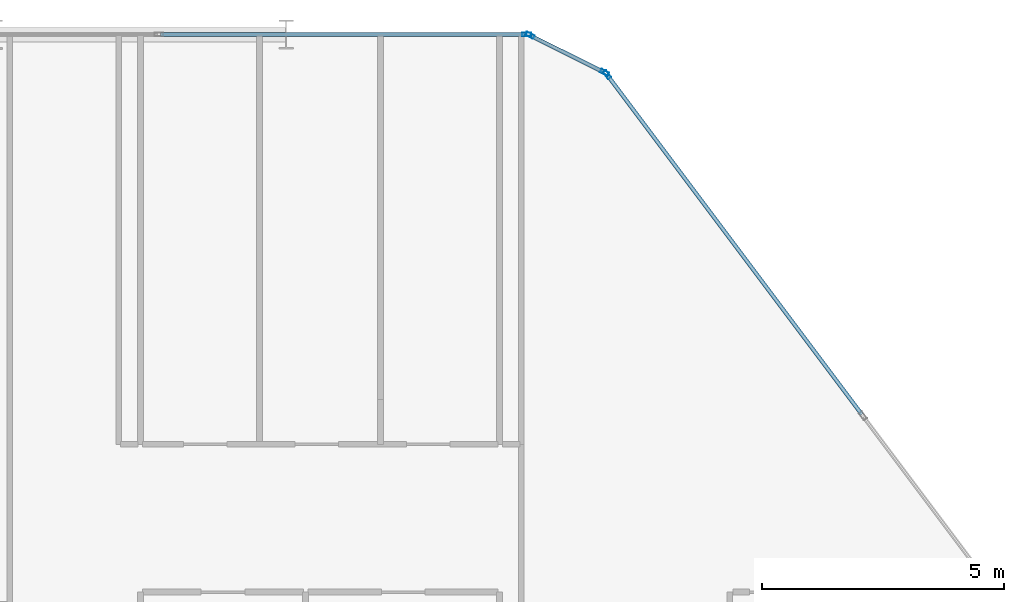
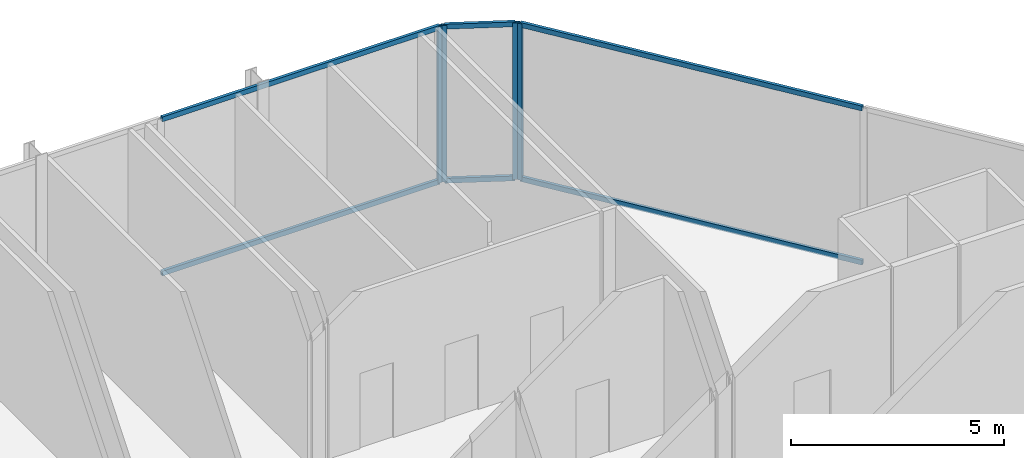
# One storey, part 20 of 29: 10 members, 3 elements without a shape of their own.
"""IFC4 building model written with IfcOpenShell, lengths in metres."""

from ifc_helpers import new_model, si_unit, direction, frame, origin, origin_2d, place, context, subcontext, project, spatial, hollow_rectangle, extrude, material, layer, layer_set, material_profile, profile_set, type_object, element, aggregate, save


model = new_model("IFC4")

# Units and contexts
model_context = context("Model", 3, precision=1e-05, world=origin(), true_north=direction((0.0, 1.0)))
body_context = subcontext(model_context, "Body", "Model", "MODEL_VIEW")
ifc_project = project(units=[si_unit("LENGTHUNIT", "METRE"), si_unit("AREAUNIT", "SQUARE_METRE"), si_unit("VOLUMEUNIT", "CUBIC_METRE"), si_unit("PLANEANGLEUNIT", "RADIAN"), si_unit("MASSUNIT", "GRAM", prefix="KILO")], contexts=[model_context])

# Site, building, storey
site_placement = place(None, origin())
site = spatial("IfcSite", under=ifc_project, at=site_placement, CompositionType="ELEMENT")
building_placement = place(site_placement, origin())
building = spatial("IfcBuilding", under=site, at=building_placement, Name="Keshet Zoharim Tower", CompositionType="ELEMENT")
storey_placement = place(building_placement, frame((0.0, 0.0, 120.5)))
storey = spatial("IfcBuildingStorey", under=building, at=storey_placement, Name="L29", CompositionType="ELEMENT", Elevation=120.5)

# Curtain wall, member
ifc_material = material(Name="Aluminium 6063-T6", Category="aluminium")
ifc_layer = layer(ifc_material, 0.14990234375)
ifc_layer_set = layer_set([ifc_layer], Name="Aluminium 6063-T6")
curtain_wall_type = type_object("IfcCurtainWallType", Name="CW-SYS-04", PredefinedType="NOTDEFINED", material=ifc_layer_set)
curtain_wall_1_placement = place(storey_placement, origin())
curtain_wall_1 = element("IfcCurtainWall", 1, at=curtain_wall_1_placement, inside=storey, type_object=curtain_wall_type, Name="L29 Unitised Curtain Wall 13 Part 5", PredefinedType="NOTDEFINED")
ifc_material_profile_1 = material_profile(ifc_material, hollow_rectangle(XDim=0.080078125, YDim=0.179931640625, WallThickness=0.00439453125, at=origin_2d()), Name="MUL-80x180")
ifc_profile_set_1 = profile_set([ifc_material_profile_1], Name="Aluminium 6063-T6")
member_type_1 = type_object("IfcMemberType", Name="CWM-M18", PredefinedType="MULLION", material=ifc_profile_set_1)
member_1_placement = place(storey_placement, frame((49.965087890625, 53.89990234375, 0.0), z_axis=(0.0, 0.0, 1.0), x_axis=(0.0, 1.0, 0.0)))
member_1 = element("IfcMember", 2, at=member_1_placement, type_object=member_type_1, Name="CW-04 mullion 3", PredefinedType="MULLION", context=body_context, shape_type="SweptSolid", body=[
    extrude(hollow_rectangle(XDim=0.080078125, YDim=0.179931640625, WallThickness=0.00439453125, at=origin_2d()), origin(), (0.0, 0.0, 1.0), 4.47998046875),
])

# Curtain wall, members
curtain_wall_2_placement = place(storey_placement, origin())
curtain_wall_2 = element("IfcCurtainWall", 3, at=curtain_wall_2_placement, inside=storey, type_object=curtain_wall_type, Name="L29 Unitised Curtain Wall 14", PredefinedType="NOTDEFINED")
member_2_placement = place(storey_placement, frame((50.03125, 53.88427734375, 0.0), z_axis=(0.0, 0.0, 1.0), x_axis=(0.447213595499, 0.894427191001, 0.0)))
member_2 = element("IfcMember", 4, at=member_2_placement, type_object=member_type_1, Name="CW-04 mullion 1", PredefinedType="MULLION", context=body_context, shape_type="SweptSolid", body=[
    extrude(hollow_rectangle(XDim=0.080078125, YDim=0.179931640625, WallThickness=0.00439453125, at=origin_2d()), origin(), (0.0, 0.0, 1.0), 4.47998046875),
])
member_3_placement = place(storey_placement, frame((51.568603515625, 53.11572265625, 0.0), z_axis=(0.0, 0.0, 1.0), x_axis=(0.447213595499, 0.894427191001, 0.0)))
member_3 = element("IfcMember", 5, at=member_3_placement, type_object=member_type_1, Name="CW-04 mullion 2", PredefinedType="MULLION", context=body_context, shape_type="SweptSolid", body=[
    extrude(hollow_rectangle(XDim=0.080078125, YDim=0.179931640625, WallThickness=0.00439453125, at=origin_2d()), origin(), (0.0, 0.0, 1.0), 4.47998046875),
])

# Curtain wall, member
curtain_wall_3_placement = place(storey_placement, origin())
curtain_wall_3 = element("IfcCurtainWall", 6, at=curtain_wall_3_placement, inside=storey, type_object=curtain_wall_type, Name="L29 Unitised Curtain Wall 15", PredefinedType="NOTDEFINED")
member_4_placement = place(storey_placement, frame((51.62109375, 53.072021484375, 0.0), z_axis=(0.0, 0.0, 1.0), x_axis=(0.799999999998, 0.600000000002, 0.0)))
member_4 = element("IfcMember", 7, at=member_4_placement, type_object=member_type_1, Name="CW-04 mullion 1", PredefinedType="MULLION", context=body_context, shape_type="SweptSolid", body=[
    extrude(hollow_rectangle(XDim=0.080078125, YDim=0.179931640625, WallThickness=0.00439453125, at=origin_2d()), origin(), (0.0, 0.0, 1.0), 4.47998046875),
])

# Member
ifc_material_profile_2 = material_profile(ifc_material, hollow_rectangle(XDim=0.080078125, YDim=0.139892578125, WallThickness=0.00390625, at=origin_2d()), Name="TRN-80x140")
ifc_profile_set_2 = profile_set([ifc_material_profile_2], Name="Aluminium 6063-T6")
member_type_2 = type_object("IfcMemberType", Name="CWT-T14", PredefinedType="USERDEFINED", material=ifc_profile_set_2)
member_5_placement = place(storey_placement, frame((42.411865234375, 53.89990234375, 0.034912109375), z_axis=(1.0, 0.0, 0.0), x_axis=(0.0, 1.0, 0.0)))
member_5 = element("IfcMember", 8, at=member_5_placement, type_object=member_type_2, Name="CW-04 transom 2.1", ObjectType="TRANSOM", PredefinedType="USERDEFINED", context=body_context, shape_type="SweptSolid", body=[
    extrude(hollow_rectangle(XDim=0.080078125, YDim=0.139892578125, WallThickness=0.00390625, at=origin_2d()), origin(), (0.0, 0.0, 1.0), 7.51806640625),
])

member_6_placement = place(storey_placement, frame((42.411865234375, 53.89990234375, 4.445068359375), z_axis=(1.0, 0.0, 0.0), x_axis=(0.0, 1.0, 0.0)))
member_6 = element("IfcMember", 9, at=member_6_placement, type_object=member_type_2, Name="CW-04 transom 2.2", ObjectType="TRANSOM", PredefinedType="USERDEFINED", context=body_context, shape_type="SweptSolid", body=[
    extrude(hollow_rectangle(XDim=0.080078125, YDim=0.139892578125, WallThickness=0.00390625, at=origin_2d()), origin(), (0.0, 0.0, 1.0), 7.51806640625),
])

aggregate(curtain_wall_1, [member_1, member_5, member_6])

member_7_placement = place(storey_placement, frame((50.0625, 53.86865234375, 0.034912109375), z_axis=(0.894456801911, -0.447154368775, 0.0), x_axis=(0.447154368775, 0.894456801911, 0.0)))
member_7 = element("IfcMember", 10, at=member_7_placement, type_object=member_type_2, Name="CW-04 transom 1.1", ObjectType="TRANSOM", PredefinedType="USERDEFINED", context=body_context, shape_type="SweptSolid", body=[
    extrude(hollow_rectangle(XDim=0.080078125, YDim=0.139892578125, WallThickness=0.00390625, at=origin_2d()), origin(), (0.0, 0.0, 1.0), 1.64892578125),
])

member_8_placement = place(storey_placement, frame((50.0625, 53.86865234375, 4.445068359375), z_axis=(0.894456801911, -0.447154368775, 0.0), x_axis=(0.447154368775, 0.894456801911, 0.0)))
member_8 = element("IfcMember", 11, at=member_8_placement, type_object=member_type_2, Name="CW-04 transom 1.2", ObjectType="TRANSOM", PredefinedType="USERDEFINED", context=body_context, shape_type="SweptSolid", body=[
    extrude(hollow_rectangle(XDim=0.080078125, YDim=0.139892578125, WallThickness=0.00390625, at=origin_2d()), origin(), (0.0, 0.0, 1.0), 1.64892578125),
])

aggregate(curtain_wall_2, [member_2, member_3, member_7, member_8])

member_9_placement = place(storey_placement, frame((51.64208984375, 53.0439453125, 0.034912109375), z_axis=(0.599991043201, -0.800006717521, 0.0), x_axis=(0.800006717521, 0.599991043201, 0.0)))
member_9 = element("IfcMember", 12, at=member_9_placement, type_object=member_type_2, Name="CW-04 transom 1.1", ObjectType="TRANSOM", PredefinedType="USERDEFINED", context=body_context, shape_type="SweptSolid", body=[
    extrude(hollow_rectangle(XDim=0.080078125, YDim=0.139892578125, WallThickness=0.00390625, at=origin_2d()), origin(), (0.0, 0.0, 1.0), 8.722412109375),
])

member_10_placement = place(storey_placement, frame((51.64208984375, 53.0439453125, 4.445068359375), z_axis=(0.599991043201, -0.800006717521, 0.0), x_axis=(0.800006717521, 0.599991043201, 0.0)))
member_10 = element("IfcMember", 13, at=member_10_placement, type_object=member_type_2, Name="CW-04 transom 1.2", ObjectType="TRANSOM", PredefinedType="USERDEFINED", context=body_context, shape_type="SweptSolid", body=[
    extrude(hollow_rectangle(XDim=0.080078125, YDim=0.139892578125, WallThickness=0.00390625, at=origin_2d()), origin(), (0.0, 0.0, 1.0), 8.722412109375),
])

aggregate(curtain_wall_3, [member_4, member_9, member_10])

save(model, "model.ifc")
